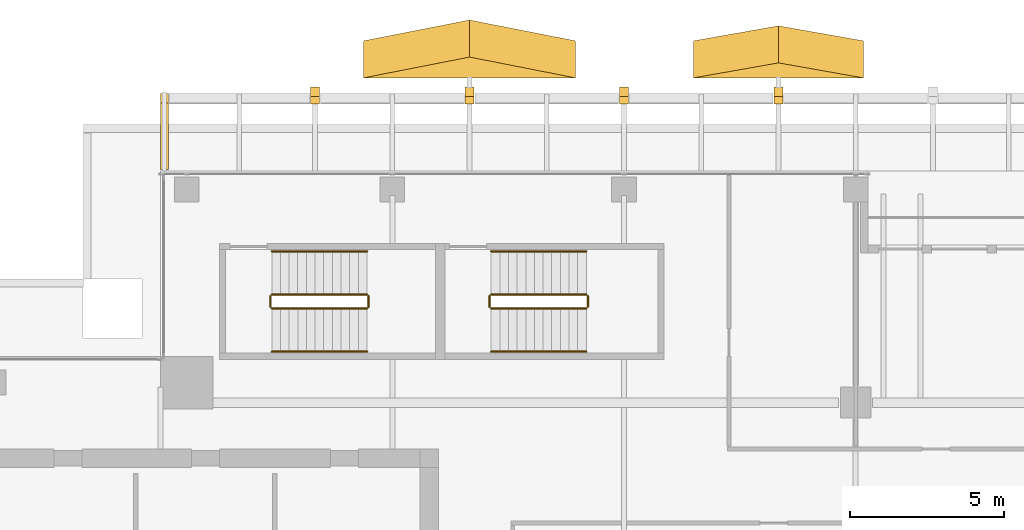
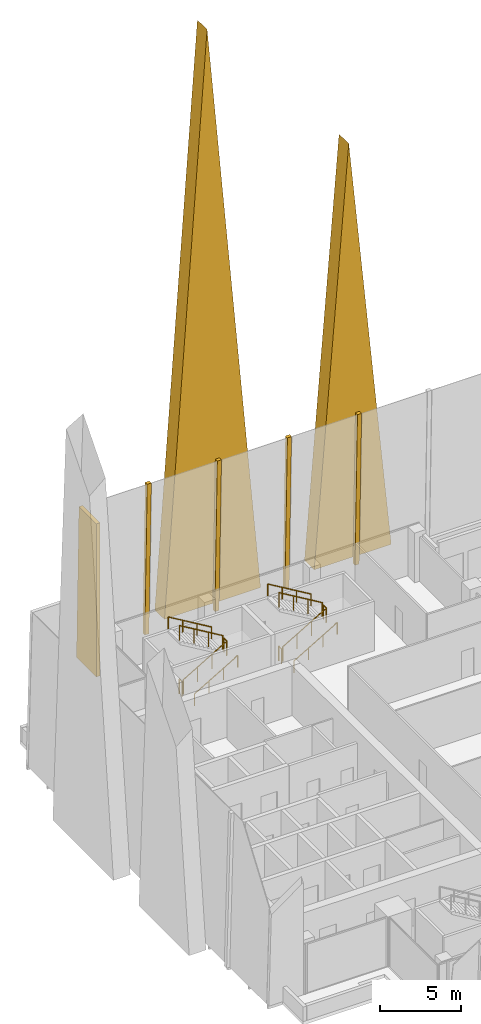
# One storey, part 31 of 32: 12 railings, 7 coverings.
"""IFC4 building model written with IfcOpenShell, lengths in metres."""

from ifc_helpers import new_model, si_unit, direction, frame, origin, origin_2d, place, context, subcontext, project, spatial, polyline, circle, outline, extrude, source, transform, mapped, material, layer, layer_set, type_object, element, save


model = new_model("IFC4")

# Units and contexts
model_context = context("Model", 3, precision=1e-05, world=origin(), true_north=direction((0.0, 1.0)))
body_context = subcontext(model_context, "Body", "Model", "MODEL_VIEW")
ifc_project = project(units=[si_unit("LENGTHUNIT", "METRE"), si_unit("AREAUNIT", "SQUARE_METRE"), si_unit("VOLUMEUNIT", "CUBIC_METRE"), si_unit("PLANEANGLEUNIT", "RADIAN"), si_unit("MASSUNIT", "GRAM", prefix="KILO")], contexts=[model_context])

# Site, building, storey
site_placement = place(None, origin())
site = spatial("IfcSite", under=ifc_project, at=site_placement, CompositionType="ELEMENT")
building_placement = place(site_placement, origin())
building = spatial("IfcBuilding", under=site, at=building_placement, Name="Khomas Fold Tower", CompositionType="ELEMENT")
storey_placement = place(building_placement, frame((0.0, 0.0, 282.199951171875)))
storey = spatial("IfcBuildingStorey", under=building, at=storey_placement, Name="L63", CompositionType="ELEMENT", Elevation=282.199951171875)

# Coverings
ifc_material_1 = material(Name="Natural stone cladding", Category="masonry")
ifc_layer_1 = layer(ifc_material_1, 0.25)
ifc_layer_set_1 = layer_set([ifc_layer_1], Name="Natural stone cladding")
covering_type_1 = type_object("IfcCoveringType", Name="SK-Karibib marble stone mullion", PredefinedType="CLADDING", material=ifc_layer_set_1)
for number, where, z_axis, x_axis, name in (
    (1, (16.85009765625, 50.718017578125, 0.006591796875), (0.0, 0.999657783631, 0.026159427089), (1.0, 0.0, 0.0), "OUTER SKIN mullion L63 N2"),
    (2, (21.85009765625, 50.718017578125, 0.006591796875), (0.0, 0.999657783631, 0.026159427089), (1.0, 0.0, 0.0), "OUTER SKIN mullion L63 N4"),
    (3, (26.85009765625, 50.718017578125, 0.006591796875), (0.0, 0.999657783631, 0.026159427089), (1.0, 0.0, 0.0), "OUTER SKIN mullion L63 N6"),
    (4, (31.85009765625, 50.718017578125, 0.006591796875), (0.0, 0.999657783631, 0.026159427089), (1.0, 0.0, 0.0), "OUTER SKIN mullion L63 N8"),
):
    element("IfcCovering", number, at=place(storey_placement, frame(where, z_axis=z_axis, x_axis=x_axis)), inside=storey, type_object=covering_type_1, Name=name, PredefinedType="CLADDING", context=body_context, shape_type="SweptSolid", body=[
        extrude(outline(polyline([(0.0, 0.0), (0.2998046875, 0.0), (0.2998046875, -11.554002797007572), (0.0, -11.554002797007572), (0.0, 0.0)])), origin(), (0.0, 0.0, -1.0), 0.25),
    ])
covering_1_placement = place(storey_placement, frame((12.0, 48.050048828125, 11.550048828125), z_axis=(-1.0, 0.0, 0.0), x_axis=(0.0, 1.0, 0.0)))
element("IfcCovering", 5, at=covering_1_placement, inside=storey, type_object=covering_type_1, Name="OUTER SKIN return L63 N1", PredefinedType="CLADDING", context=body_context, shape_type="SweptSolid", body=[
    extrude(outline(polyline([(0.0, 0.0), (2.15576171875, 0.0), (2.458251953125, 11.550048828125), (0.0, 11.550048828125), (0.0, 0.0)])), origin(), (0.0, 0.0, -1.0), 0.25),
])
ifc_material_2 = material(Name="Natural stone cladding", Category="masonry")
ifc_layer_2 = layer(ifc_material_2, 1.199951171875)
ifc_layer_set_2 = layer_set([ifc_layer_2], Name="Natural stone cladding")
covering_type_2 = type_object("IfcCoveringType", Name="SK-Karibib marble stone panel", PredefinedType="CLADDING", material=ifc_layer_set_2)
covering_2_placement = place(storey_placement, frame((18.568115234375, 51.01171875, 0.25), z_axis=(0.0, -0.999876401328, 0.01572202492), x_axis=(1.0, 0.0, 0.0)))
element("IfcCovering", 6, at=covering_2_placement, inside=storey, type_object=covering_type_2, Name="OUTER SKIN blade L63 NZ5-1", PredefinedType="CLADDING", context=body_context, shape_type="SweptSolid", body=[
    extrude(outline(polyline([(0.0, 0.0), (6.86376953125, 0.0), (3.431884765625, 42.9054495409643), (0.0, 0.0)])), origin(), (0.0, 0.0, -1.0), 1.199951171875),
])
covering_3_placement = place(storey_placement, frame((29.25, 51.01171875, 0.25), z_axis=(0.0, -0.999876418156, 0.015720954689), x_axis=(1.0, 0.0, 0.0)))
element("IfcCovering", 7, at=covering_3_placement, inside=storey, type_object=covering_type_2, Name="OUTER SKIN blade L63 NZ5-2", PredefinedType="CLADDING", context=body_context, shape_type="SweptSolid", body=[
    extrude(outline(polyline([(0.0, 0.0), (5.5, 0.0), (2.75, 30.903965653449845), (0.0, 0.0)])), origin(), (0.0, 0.0, -1.0), 1.199951171875),
])

# Railings
ifc_material_3 = material(Name="Steel balustrade", Category="steel")
railing_type_1 = type_object("IfcRailingType", Name="Stair guard", PredefinedType="GUARDRAIL", material=ifc_material_3)
shared_shape_1 = source(origin(), body_context, "Body", "SweptSolid", [
    extrude(circle(Radius=0.02392578125, at=origin_2d()), frame((0.0, 0.0, 1.076171875), z_axis=(0.0, 1.0, 0.0), x_axis=(-1.0, 0.0, 0.0)), (0.0, 0.0, 1.0), 0.349853515625),
    extrude(circle(Radius=0.02099609375, at=origin_2d()), origin(), (0.0, 0.0, 1.0), 1.052001953125),
    extrude(circle(Radius=0.02099609375, at=origin_2d()), frame((0.0, 0.349853515625, 0.0)), (0.0, 0.0, 1.0), 1.052001953125),
])
for number, where, name in (
    (8, (18.72998046875, 43.60009765625, 2.0), "L63 ST1 stair guard 2"),
    (9, (15.550048828125, 43.60009765625, 0.0), "L63 ST1 stair guard 4"),
    (10, (25.830078125, 43.60009765625, 2.0), "L63 ST3 stair guard 2"),
    (11, (22.64990234375, 43.60009765625, 0.0), "L63 ST3 stair guard 4"),
):
    element("IfcRailing", number, at=place(storey_placement, frame(where)), inside=storey, type_object=railing_type_1, Name=name, PredefinedType="GUARDRAIL", context=body_context, shape_type="MappedRepresentation", body=[
        mapped(shared_shape_1, transform((0.0, 0.0, 0.0))),
    ])
shared_shape_2 = source(origin(), body_context, "Body", "SweptSolid", [
    extrude(circle(Radius=0.02392578125, at=origin_2d()), frame((0.0, 0.0, 1.076171875), z_axis=(0.859290745958, 0.0, 0.51148745235), x_axis=(0.0, 1.0, 0.0)), (0.0, 0.0, 1.0), 3.584228515625),
    extrude(circle(Radius=0.02099609375, at=origin_2d()), origin(), (0.0, 0.0, 1.0), 1.052001953125),
    extrude(circle(Radius=0.02099609375, at=origin_2d()), frame((1.026611328125, 0.0, 0.611083984375)), (0.0, 0.0, 1.0), 1.052001953125),
    extrude(circle(Radius=0.02099609375, at=origin_2d()), frame((2.05322265625, 0.0, 1.22216796875)), (0.0, 0.0, 1.0), 1.052001953125),
    extrude(circle(Radius=0.02099609375, at=origin_2d()), frame((3.079833984375, 0.0, 1.833251953125)), (0.0, 0.0, 1.0), 1.052001953125),
])
railing_1_placement = place(storey_placement, frame((15.60009765625, 43.550048828125, 0.166748046875)))
element("IfcRailing", 12, at=railing_1_placement, inside=storey, type_object=railing_type_1, Name="L63 ST1 stair guard 1", PredefinedType="GUARDRAIL", context=body_context, shape_type="MappedRepresentation", body=[
    mapped(shared_shape_2, transform((0.0, 0.0, 0.0))),
])
shared_shape_3 = source(origin(), body_context, "Body", "SweptSolid", [
    extrude(circle(Radius=0.02392578125, at=origin_2d()), frame((0.0, 0.0, 1.076171875), z_axis=(-0.859290745958, 0.0, 0.51148745235), x_axis=(0.0, -1.0, 0.0)), (0.0, 0.0, 1.0), 3.584228515625),
    extrude(circle(Radius=0.02099609375, at=origin_2d()), origin(), (0.0, 0.0, 1.0), 1.052001953125),
    extrude(circle(Radius=0.02099609375, at=origin_2d()), frame((-1.026611328125, 0.0, 0.611083984375)), (0.0, 0.0, 1.0), 1.052001953125),
    extrude(circle(Radius=0.02099609375, at=origin_2d()), frame((-2.05322265625, 0.0, 1.22216796875)), (0.0, 0.0, 1.0), 1.052001953125),
    extrude(circle(Radius=0.02099609375, at=origin_2d()), frame((-3.079833984375, 0.0, 1.833251953125)), (0.0, 0.0, 1.0), 1.052001953125),
])
railing_2_placement = place(storey_placement, frame((18.679931640625, 44.0, 2.166748046875)))
element("IfcRailing", 13, at=railing_2_placement, inside=storey, type_object=railing_type_1, Name="L63 ST1 stair guard 3", PredefinedType="GUARDRAIL", context=body_context, shape_type="MappedRepresentation", body=[
    mapped(shared_shape_3, transform((0.0, 0.0, 0.0))),
])
ifc_material_4 = material(Name="Steel handrail", Category="steel")
railing_type_2 = type_object("IfcRailingType", Name="Stair handrail", PredefinedType="HANDRAIL", material=ifc_material_4)
shared_shape_4 = source(origin(), body_context, "Body", "SweptSolid", [
    extrude(circle(Radius=0.02392578125, at=origin_2d()), frame((0.0, 0.0, 0.8759765625), z_axis=(0.859290745958, 0.0, 0.51148745235), x_axis=(0.0, 1.0, 0.0)), (0.0, 0.0, 1.0), 3.584228515625),
    extrude(circle(Radius=0.02099609375, at=origin_2d()), origin(), (0.0, 0.0, 1.0), 0.851806640625),
    extrude(circle(Radius=0.02099609375, at=origin_2d()), frame((1.026611328125, 0.0, 0.611083984375)), (0.0, 0.0, 1.0), 0.851806640625),
    extrude(circle(Radius=0.02099609375, at=origin_2d()), frame((2.05322265625, 0.0, 1.22216796875)), (0.0, 0.0, 1.0), 0.851806640625),
    extrude(circle(Radius=0.02099609375, at=origin_2d()), frame((3.079833984375, 0.0, 1.833251953125)), (0.0, 0.0, 1.0), 0.851806640625),
])
railing_3_placement = place(storey_placement, frame((15.60009765625, 42.14990234375, 0.166748046875)))
element("IfcRailing", 14, at=railing_3_placement, inside=storey, type_object=railing_type_2, Name="L63 ST1 stair handrail 1", PredefinedType="HANDRAIL", context=body_context, shape_type="MappedRepresentation", body=[
    mapped(shared_shape_4, transform((0.0, 0.0, 0.0))),
])
shared_shape_5 = source(origin(), body_context, "Body", "SweptSolid", [
    extrude(circle(Radius=0.02392578125, at=origin_2d()), frame((0.0, 0.0, 0.8759765625), z_axis=(-0.859290745958, 0.0, 0.51148745235), x_axis=(0.0, -1.0, 0.0)), (0.0, 0.0, 1.0), 3.584228515625),
    extrude(circle(Radius=0.02099609375, at=origin_2d()), origin(), (0.0, 0.0, 1.0), 0.851806640625),
    extrude(circle(Radius=0.02099609375, at=origin_2d()), frame((-1.026611328125, 0.0, 0.611083984375)), (0.0, 0.0, 1.0), 0.851806640625),
    extrude(circle(Radius=0.02099609375, at=origin_2d()), frame((-2.05322265625, 0.0, 1.22216796875)), (0.0, 0.0, 1.0), 0.851806640625),
    extrude(circle(Radius=0.02099609375, at=origin_2d()), frame((-3.079833984375, 0.0, 1.833251953125)), (0.0, 0.0, 1.0), 0.851806640625),
])
railing_4_placement = place(storey_placement, frame((18.679931640625, 45.39990234375, 2.166748046875)))
element("IfcRailing", 15, at=railing_4_placement, inside=storey, type_object=railing_type_2, Name="L63 ST1 stair handrail 2", PredefinedType="HANDRAIL", context=body_context, shape_type="MappedRepresentation", body=[
    mapped(shared_shape_5, transform((0.0, 0.0, 0.0))),
])
shared_shape_6 = source(origin(), body_context, "Body", "SweptSolid", [
    extrude(circle(Radius=0.02392578125, at=origin_2d()), frame((0.0, 0.0, 1.076171875), z_axis=(0.859308565015, 0.0, 0.511457515432), x_axis=(0.0, 1.0, 0.0)), (0.0, 0.0, 1.0), 3.58447265625),
    extrude(circle(Radius=0.02099609375, at=origin_2d()), origin(), (0.0, 0.0, 1.0), 1.052001953125),
    extrude(circle(Radius=0.02099609375, at=origin_2d()), frame((1.026611328125, 0.0, 0.611083984375)), (0.0, 0.0, 1.0), 1.052001953125),
    extrude(circle(Radius=0.02099609375, at=origin_2d()), frame((2.053466796875, 0.0, 1.22216796875)), (0.0, 0.0, 1.0), 1.052001953125),
    extrude(circle(Radius=0.02099609375, at=origin_2d()), frame((3.080078125, 0.0, 1.833251953125)), (0.0, 0.0, 1.0), 1.052001953125),
])
railing_5_placement = place(storey_placement, frame((22.699951171875, 43.550048828125, 0.166748046875)))
element("IfcRailing", 16, at=railing_5_placement, inside=storey, type_object=railing_type_1, Name="L63 ST3 stair guard 1", PredefinedType="GUARDRAIL", context=body_context, shape_type="MappedRepresentation", body=[
    mapped(shared_shape_6, transform((0.0, 0.0, 0.0))),
])
shared_shape_7 = source(origin(), body_context, "Body", "SweptSolid", [
    extrude(circle(Radius=0.02392578125, at=origin_2d()), frame((0.0, 0.0, 1.076171875), z_axis=(-0.859308565015, 0.0, 0.511457515432), x_axis=(0.0, -1.0, 0.0)), (0.0, 0.0, 1.0), 3.58447265625),
    extrude(circle(Radius=0.02099609375, at=origin_2d()), origin(), (0.0, 0.0, 1.0), 1.052001953125),
    extrude(circle(Radius=0.02099609375, at=origin_2d()), frame((-1.026611328125, 0.0, 0.611083984375)), (0.0, 0.0, 1.0), 1.052001953125),
    extrude(circle(Radius=0.02099609375, at=origin_2d()), frame((-2.053466796875, 0.0, 1.22216796875)), (0.0, 0.0, 1.0), 1.052001953125),
    extrude(circle(Radius=0.02099609375, at=origin_2d()), frame((-3.080078125, 0.0, 1.833251953125)), (0.0, 0.0, 1.0), 1.052001953125),
])
railing_6_placement = place(storey_placement, frame((25.780029296875, 44.0, 2.166748046875)))
element("IfcRailing", 17, at=railing_6_placement, inside=storey, type_object=railing_type_1, Name="L63 ST3 stair guard 3", PredefinedType="GUARDRAIL", context=body_context, shape_type="MappedRepresentation", body=[
    mapped(shared_shape_7, transform((0.0, 0.0, 0.0))),
])
shared_shape_8 = source(origin(), body_context, "Body", "SweptSolid", [
    extrude(circle(Radius=0.02392578125, at=origin_2d()), frame((0.0, 0.0, 0.8759765625), z_axis=(0.859308565015, 0.0, 0.511457515432), x_axis=(0.0, 1.0, 0.0)), (0.0, 0.0, 1.0), 3.58447265625),
    extrude(circle(Radius=0.02099609375, at=origin_2d()), origin(), (0.0, 0.0, 1.0), 0.851806640625),
    extrude(circle(Radius=0.02099609375, at=origin_2d()), frame((1.026611328125, 0.0, 0.611083984375)), (0.0, 0.0, 1.0), 0.851806640625),
    extrude(circle(Radius=0.02099609375, at=origin_2d()), frame((2.053466796875, 0.0, 1.22216796875)), (0.0, 0.0, 1.0), 0.851806640625),
    extrude(circle(Radius=0.02099609375, at=origin_2d()), frame((3.080078125, 0.0, 1.833251953125)), (0.0, 0.0, 1.0), 0.851806640625),
])
railing_7_placement = place(storey_placement, frame((22.699951171875, 42.14990234375, 0.166748046875)))
element("IfcRailing", 18, at=railing_7_placement, inside=storey, type_object=railing_type_2, Name="L63 ST3 stair handrail 1", PredefinedType="HANDRAIL", context=body_context, shape_type="MappedRepresentation", body=[
    mapped(shared_shape_8, transform((0.0, 0.0, 0.0))),
])
shared_shape_9 = source(origin(), body_context, "Body", "SweptSolid", [
    extrude(circle(Radius=0.02392578125, at=origin_2d()), frame((0.0, 0.0, 0.8759765625), z_axis=(-0.859308565015, 0.0, 0.511457515432), x_axis=(0.0, -1.0, 0.0)), (0.0, 0.0, 1.0), 3.58447265625),
    extrude(circle(Radius=0.02099609375, at=origin_2d()), origin(), (0.0, 0.0, 1.0), 0.851806640625),
    extrude(circle(Radius=0.02099609375, at=origin_2d()), frame((-1.026611328125, 0.0, 0.611083984375)), (0.0, 0.0, 1.0), 0.851806640625),
    extrude(circle(Radius=0.02099609375, at=origin_2d()), frame((-2.053466796875, 0.0, 1.22216796875)), (0.0, 0.0, 1.0), 0.851806640625),
    extrude(circle(Radius=0.02099609375, at=origin_2d()), frame((-3.080078125, 0.0, 1.833251953125)), (0.0, 0.0, 1.0), 0.851806640625),
])
railing_8_placement = place(storey_placement, frame((25.780029296875, 45.39990234375, 2.166748046875)))
element("IfcRailing", 19, at=railing_8_placement, inside=storey, type_object=railing_type_2, Name="L63 ST3 stair handrail 2", PredefinedType="HANDRAIL", context=body_context, shape_type="MappedRepresentation", body=[
    mapped(shared_shape_9, transform((0.0, 0.0, 0.0))),
])

save(model, "model.ifc")
